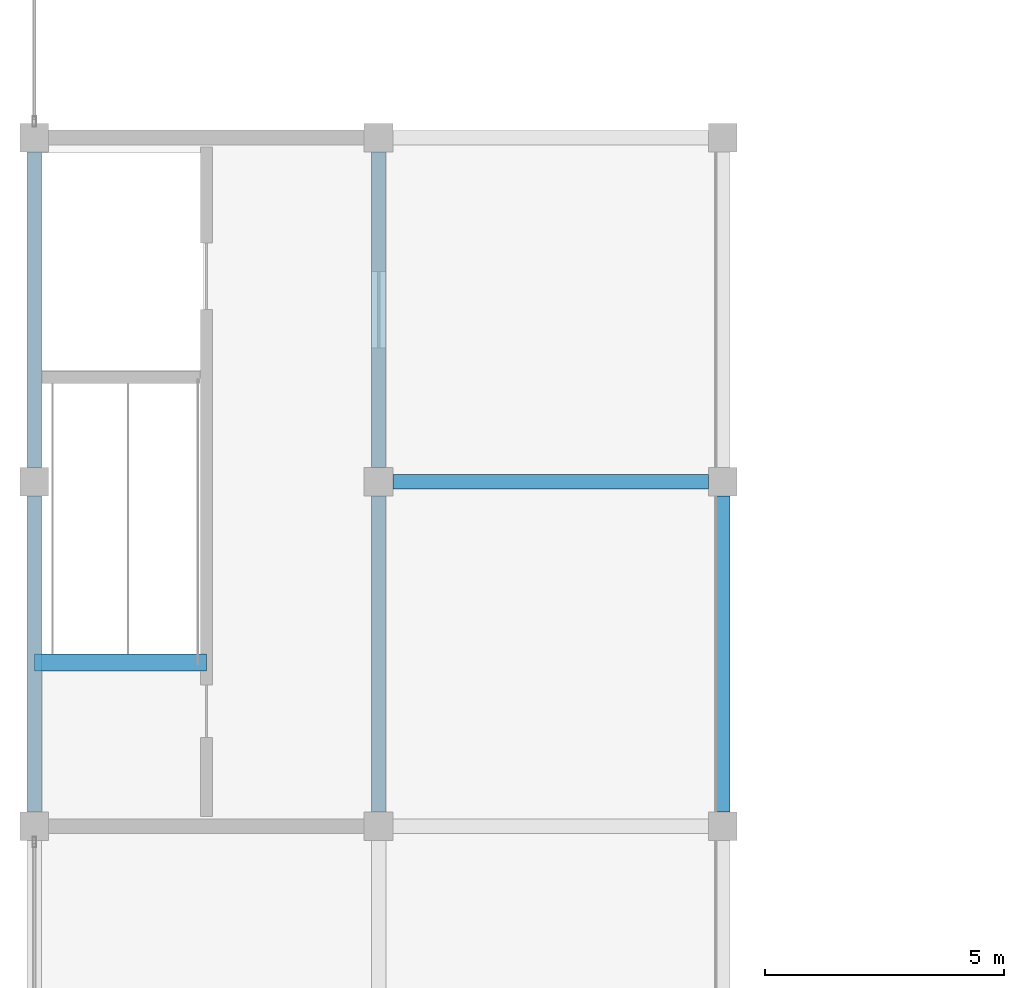
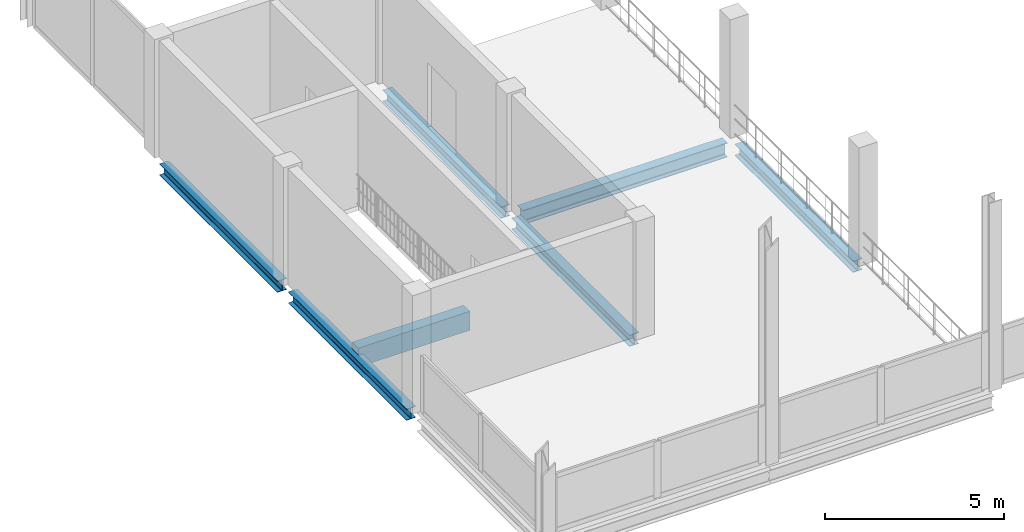
# One storey, part 19 of 51: 7 beams.
"""IFC4 building model written with IfcOpenShell, lengths in metres."""

from ifc_helpers import new_model, si_unit, direction, frame, origin, origin_2d, place, context, subcontext, project, spatial, rectangle, i_section, extrude, material, material_profile, profile_set, type_object, element, save


model = new_model("IFC4")

# Units and contexts
model_context = context("Model", 3, precision=1e-05, world=origin(), true_north=direction((0.0, 1.0)))
body_context = subcontext(model_context, "Body", "Model", "MODEL_VIEW")
ifc_project = project(units=[si_unit("LENGTHUNIT", "METRE"), si_unit("AREAUNIT", "SQUARE_METRE"), si_unit("VOLUMEUNIT", "CUBIC_METRE"), si_unit("PLANEANGLEUNIT", "RADIAN"), si_unit("MASSUNIT", "GRAM", prefix="KILO")], contexts=[model_context])

# Site, building, storey
site_placement = place(None, origin())
site = spatial("IfcSite", under=ifc_project, at=site_placement, CompositionType="ELEMENT")
building_placement = place(site_placement, origin())
building = spatial("IfcBuilding", under=site, at=building_placement, Name="Vesperath Aquatics Centre", CompositionType="ELEMENT")
storey_placement = place(building_placement, frame((0.0, 0.0, 15.0)))
storey = spatial("IfcBuildingStorey", under=building, at=storey_placement, Name="L03", CompositionType="ELEMENT", Elevation=15.0)

# Beams
ifc_material_1 = material(Name="Concrete C35", Category="concrete")
ifc_material_profile_1 = material_profile(ifc_material_1, rectangle(XDim=0.35009765625, YDim=0.64990234375, at=origin_2d()), Name="RC 350x650")
ifc_profile_set_1 = profile_set([ifc_material_profile_1], Name="Concrete C35")
beam_type_1 = type_object("IfcBeamType", Name="BM-G05", PredefinedType="BEAM", material=ifc_profile_set_1)
beam_1_placement = place(storey_placement, frame((7.199951171875, 97.02001953125, -0.324951171875), z_axis=(1.0, 0.0, 0.0), x_axis=(0.0, 1.0, 0.0)))
element("IfcBeam", 1, at=beam_1_placement, inside=storey, type_object=beam_type_1, Name="Stair ST3 Landing Trimmer Beam B05 L03", PredefinedType="BEAM", context=body_context, shape_type="SweptSolid", body=[
    extrude(rectangle(XDim=0.35009765625, YDim=0.64990234375, at=origin_2d()), origin(), (0.0, 0.0, 1.0), 3.60009765625),
])
ifc_material_2 = material(Name="Steel Q355C", Category="steel")
ifc_material_profile_2 = material_profile(ifc_material_2, i_section(OverallWidth=0.300048828125, OverallDepth=0.488037109375, WebThickness=0.010986328125, FlangeThickness=0.01806640625, FilletRadius=0.02587890625, at=origin_2d()), Name="HM 488x300x11x18")
ifc_profile_set_2 = profile_set([ifc_material_profile_2], Name="Steel Q355C")
beam_type_2 = type_object("IfcBeamType", Name="BM-G10", PredefinedType="BEAM", material=ifc_profile_set_2)
beam_2_placement = place(storey_placement, frame((14.699951171875, 100.800048828125, -0.48388671875), z_axis=(1.0, 0.0, 0.0), x_axis=(0.0, 1.0, 0.0)))
element("IfcBeam", 2, at=beam_2_placement, inside=storey, type_object=beam_type_2, Name="Floor Girder B10 L03 Q 3-4", PredefinedType="BEAM", context=body_context, shape_type="SweptSolid", body=[
    extrude(i_section(OverallWidth=0.300048828125, OverallDepth=0.488037109375, WebThickness=0.010986328125, FlangeThickness=0.01806640625, FilletRadius=0.02587890625, at=origin_2d()), origin(), (0.0, 0.0, 1.0), 6.60009765625),
])
ifc_material_profile_3 = material_profile(ifc_material_2, i_section(OverallWidth=0.300048828125, OverallDepth=0.389892578125, WebThickness=0.010009765625, FlangeThickness=0.01611328125, FilletRadius=0.02197265625, at=origin_2d()), Name="HM 390x300x10x16")
ifc_profile_set_3 = profile_set([ifc_material_profile_3], Name="Steel Q355C")
beam_type_3 = type_object("IfcBeamType", Name="BM-G11", PredefinedType="BEAM", material=ifc_profile_set_3)
beam_3_placement = place(storey_placement, frame((7.199951171875, 93.89990234375, -0.43505859375), z_axis=(0.0, 1.0, 0.0), x_axis=(-1.0, 0.0, 0.0)))
element("IfcBeam", 3, at=beam_3_placement, inside=storey, type_object=beam_type_3, Name="Floor Girder B11 L03 2 P-Q", PredefinedType="BEAM", context=body_context, shape_type="SweptSolid", body=[
    extrude(i_section(OverallWidth=0.300048828125, OverallDepth=0.389892578125, WebThickness=0.010009765625, FlangeThickness=0.01611328125, FilletRadius=0.02197265625, at=origin_2d()), origin(), (0.0, 0.0, 1.0), 6.60009765625),
])
beam_4_placement = place(storey_placement, frame((7.199951171875, 101.10009765625, -0.43505859375), z_axis=(0.0, 1.0, 0.0), x_axis=(-1.0, 0.0, 0.0)))
element("IfcBeam", 4, at=beam_4_placement, inside=storey, type_object=beam_type_3, Name="Floor Girder B11 L03 2 Q-R", PredefinedType="BEAM", context=body_context, shape_type="SweptSolid", body=[
    extrude(i_section(OverallWidth=0.300048828125, OverallDepth=0.389892578125, WebThickness=0.010009765625, FlangeThickness=0.01611328125, FilletRadius=0.02197265625, at=origin_2d()), origin(), (0.0, 0.0, 1.0), 6.599853515625),
])
beam_5_placement = place(storey_placement, frame((14.39990234375, 93.89990234375, -0.43505859375), z_axis=(0.0, 1.0, 0.0), x_axis=(-1.0, 0.0, 0.0)))
element("IfcBeam", 5, at=beam_5_placement, inside=storey, type_object=beam_type_3, Name="Floor Girder B11 L03 3 P-Q", PredefinedType="BEAM", context=body_context, shape_type="SweptSolid", body=[
    extrude(i_section(OverallWidth=0.300048828125, OverallDepth=0.389892578125, WebThickness=0.010009765625, FlangeThickness=0.01611328125, FilletRadius=0.02197265625, at=origin_2d()), origin(), (0.0, 0.0, 1.0), 6.60009765625),
])
beam_6_placement = place(storey_placement, frame((14.39990234375, 101.10009765625, -0.43505859375), z_axis=(0.0, 1.0, 0.0), x_axis=(-1.0, 0.0, 0.0)))
element("IfcBeam", 6, at=beam_6_placement, inside=storey, type_object=beam_type_3, Name="Floor Girder B11 L03 3 Q-R", PredefinedType="BEAM", context=body_context, shape_type="SweptSolid", body=[
    extrude(i_section(OverallWidth=0.300048828125, OverallDepth=0.389892578125, WebThickness=0.010009765625, FlangeThickness=0.01611328125, FilletRadius=0.02197265625, at=origin_2d()), origin(), (0.0, 0.0, 1.0), 6.599853515625),
])
beam_7_placement = place(storey_placement, frame((21.60009765625, 93.89990234375, -0.43505859375), z_axis=(0.0, 1.0, 0.0), x_axis=(-1.0, 0.0, 0.0)))
element("IfcBeam", 7, at=beam_7_placement, inside=storey, type_object=beam_type_3, Name="Floor Girder B11 L03 4 P-Q", PredefinedType="BEAM", context=body_context, shape_type="SweptSolid", body=[
    extrude(i_section(OverallWidth=0.300048828125, OverallDepth=0.389892578125, WebThickness=0.010009765625, FlangeThickness=0.01611328125, FilletRadius=0.02197265625, at=origin_2d()), origin(), (0.0, 0.0, 1.0), 6.60009765625),
])

save(model, "model.ifc")
